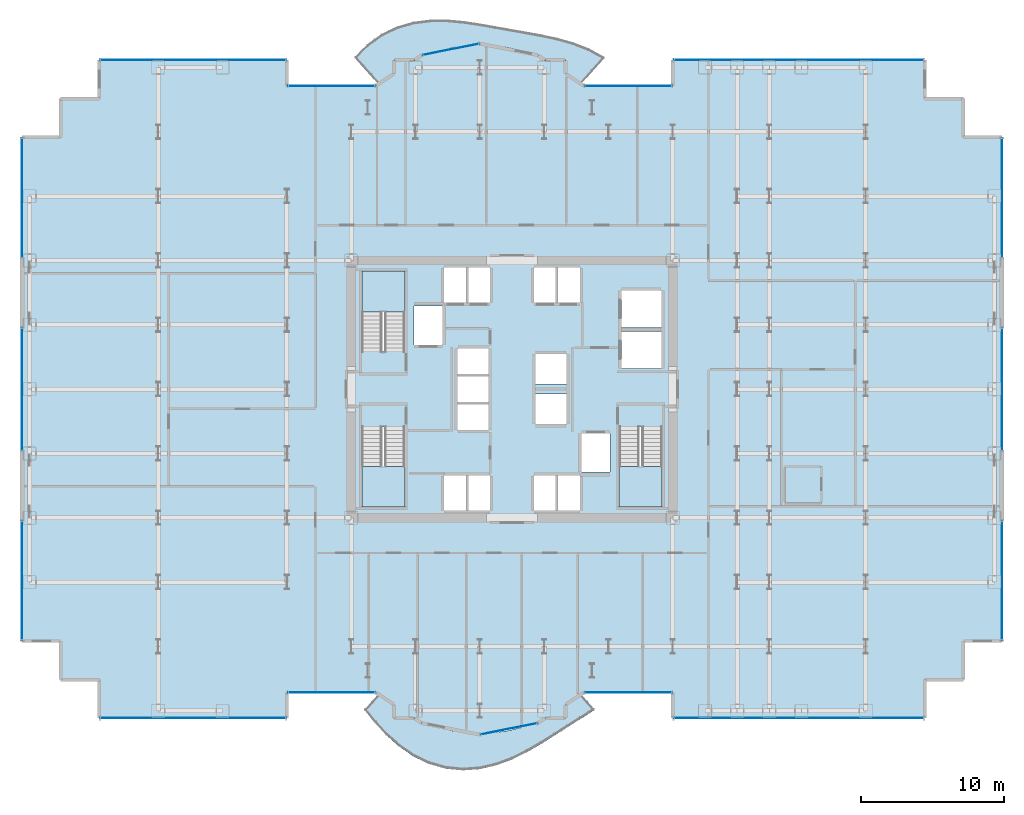
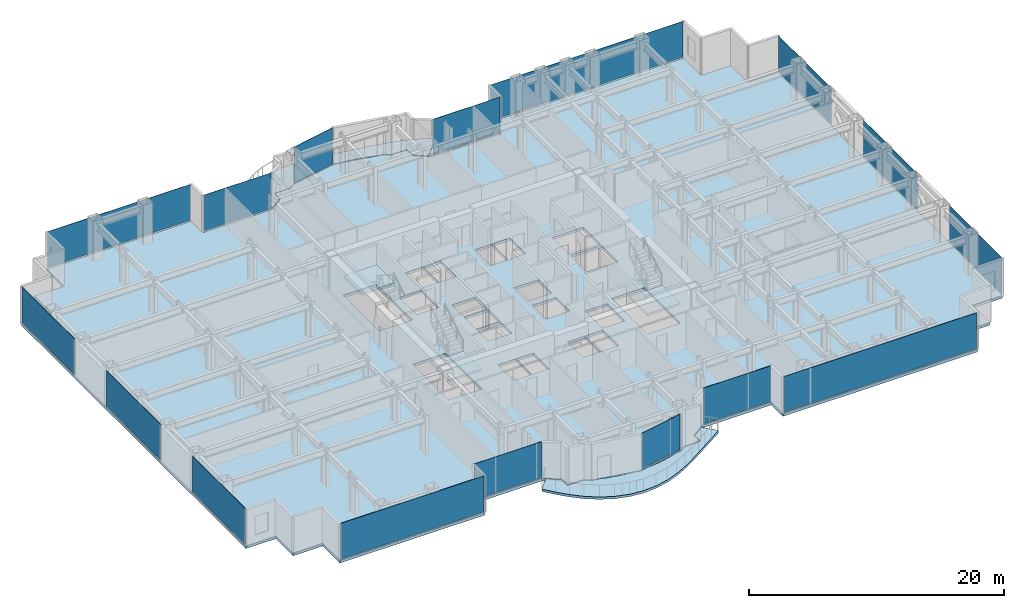
# One storey, part 20 of 29: 16 plates, 6 slabs, 19 elements without a shape of their own.
"""IFC4 building model written with IfcOpenShell, lengths in metres."""

from ifc_helpers import new_model, si_unit, direction, frame, origin, origin_2d, place, context, subcontext, project, spatial, polyline, rectangle, outline, extrude, source, transform, mapped, material, layer, layer_set, type_object, element, aggregate, save


model = new_model("IFC4")

# Units and contexts
model_context = context("Model", 3, precision=1e-05, world=origin(), true_north=direction((0.0, 1.0)))
body_context = subcontext(model_context, "Body", "Model", "MODEL_VIEW")
ifc_project = project(units=[si_unit("LENGTHUNIT", "METRE"), si_unit("AREAUNIT", "SQUARE_METRE"), si_unit("VOLUMEUNIT", "CUBIC_METRE"), si_unit("PLANEANGLEUNIT", "RADIAN"), si_unit("MASSUNIT", "GRAM", prefix="KILO")], contexts=[model_context])

# Site, building, storey
site_placement = place(None, origin())
site = spatial("IfcSite", under=ifc_project, at=site_placement, CompositionType="ELEMENT")
building_placement = place(site_placement, origin())
building = spatial("IfcBuilding", under=site, at=building_placement, Name="Nefas-Gora Pilgrimage Tower", CompositionType="ELEMENT")
storey_placement = place(building_placement, frame((0.0, 0.0, 78.60009765625)))
storey = spatial("IfcBuildingStorey", under=building, at=storey_placement, Name="L18", CompositionType="ELEMENT", Elevation=78.60009765625)

# Slabs
ifc_material_1 = material(Name="Concrete C40/50", Category="concrete")
ifc_layer_1 = layer(ifc_material_1, 0.219970703125)
ifc_layer_set_1 = layer_set([ifc_layer_1], Name="Concrete C40/50")
slab_type_1 = type_object("IfcSlabType", Name="SLB-BAL-P3", PredefinedType="FLOOR", material=ifc_layer_set_1)
slab_1_placement = place(storey_placement, frame((0.0, 0.0, -0.22021484375)))
element("IfcSlab", 1, at=slab_1_placement, inside=storey, type_object=slab_type_1, Name="L18 Sinusoidal Lobe Balcony Slab N (Phase 3)", PredefinedType="FLOOR", context=body_context, shape_type="SweptSolid", body=[
    extrude(outline(polyline([(-9.28759765625, 21.385986328125), (-9.224609375, 21.427978515625), (-8.538330078125, 21.9912109375), (-8.260009765625, 22.179931640625), (-8.260009765625, 23.02001953125), (-8.260009765625, 23.02099609375), (-8.259765625, 23.02197265625), (-8.259521484375, 23.02294921875), (-8.25927734375, 23.023681640625), (-8.2587890625, 23.024658203125), (-8.25830078125, 23.025634765625), (-8.2578125, 23.0263671875), (-8.257080078125, 23.027099609375), (-8.25634765625, 23.027587890625), (-8.255615234375, 23.0283203125), (-8.254638671875, 23.02880859375), (-8.25390625, 23.029296875), (-8.2529296875, 23.029541015625), (-8.251953125, 23.02978515625), (-8.2509765625, 23.030029296875), (-8.25, 23.030029296875), (-6.8271484375, 23.030029296875), (-6.31298828125, 23.37353515625), (-6.31201171875, 23.3740234375), (-6.311279296875, 23.37451171875), (-6.310302734375, 23.375), (-6.309326171875, 23.375), (-5.63037109375, 23.51025390625), (-5.102783203125, 23.685302734375), (-4.165283203125, 23.904052734375), (-3.211669921875, 24.035888671875), (-2.919921875, 24.04931640625), (-2.251953125, 24.18212890625), (-2.2509765625, 24.182373046875), (-2.25, 24.182373046875), (-2.2490234375, 24.182373046875), (-2.248046875, 24.18212890625), (-1.580078125, 24.04931640625), (-1.288330078125, 24.035888671875), (-0.334716796875, 23.904052734375), (0.602783203125, 23.685302734375), (1.13037109375, 23.51025390625), (1.809326171875, 23.375), (1.810302734375, 23.375), (1.811279296875, 23.37451171875), (1.81201171875, 23.3740234375), (1.81298828125, 23.37353515625), (2.3271484375, 23.030029296875), (3.75, 23.030029296875), (3.7509765625, 23.030029296875), (3.751953125, 23.02978515625), (3.7529296875, 23.029541015625), (3.75390625, 23.029296875), (3.754638671875, 23.02880859375), (3.755615234375, 23.0283203125), (3.75634765625, 23.027587890625), (3.757080078125, 23.027099609375), (3.7578125, 23.0263671875), (3.75830078125, 23.025634765625), (3.7587890625, 23.024658203125), (3.75927734375, 23.023681640625), (3.759521484375, 23.02294921875), (3.759765625, 23.02197265625), (3.760009765625, 23.02099609375), (3.760009765625, 23.02001953125), (3.760009765625, 22.179931640625), (4.038330078125, 21.9912109375), (4.724609375, 21.427978515625), (4.78759765625, 21.385986328125), (6.4453125, 23.22705078125), (5.391357421875, 23.802978515625), (4.284912109375, 24.234130859375), (3.16455078125, 24.5498046875), (2.055908203125, 24.787353515625), (0.969482421875, 24.985107421875), (-0.099609375, 25.172607421875), (-1.166259765625, 25.3642578125), (-2.25, 25.554931640625), (-3.366455078125, 25.720947265625), (-4.521240234375, 25.824951171875), (-5.70556640625, 25.822509765625), (-6.8955078125, 25.672119140625), (-8.055908203125, 25.343505859375), (-9.14599609375, 24.8232421875), (-10.127197265625, 24.118896484375), (-10.9716796875, 23.25634765625), (-9.28759765625, 21.385986328125)])), origin(), (0.0, 0.0, 1.0), 0.22021484375),
])
ifc_layer_2 = layer(ifc_material_1, 0.22509765625)
ifc_layer_set_2 = layer_set([ifc_layer_2], Name="Concrete C40/50")
slab_type_2 = type_object("IfcSlabType", Name="SLB-BAL-P7", PredefinedType="FLOOR", material=ifc_layer_set_2)
slab_2_placement = place(storey_placement, frame((0.0, 0.0, -0.22509765625)))
element("IfcSlab", 2, at=slab_2_placement, inside=storey, type_object=slab_type_2, Name="L18 Sinusoidal Lobe Balcony Slab S (Phase 7)", PredefinedType="FLOOR", context=body_context, shape_type="SweptSolid", body=[
    extrude(outline(polyline([(4.78759765625, -21.385986328125), (4.724609375, -21.427978515625), (4.038330078125, -21.9912109375), (3.760009765625, -22.179931640625), (3.760009765625, -23.02001953125), (3.760009765625, -23.02099609375), (3.759765625, -23.02197265625), (3.759521484375, -23.02294921875), (3.75927734375, -23.023681640625), (3.7587890625, -23.024658203125), (3.75830078125, -23.025634765625), (3.7578125, -23.0263671875), (3.757080078125, -23.027099609375), (3.75634765625, -23.027587890625), (3.755615234375, -23.0283203125), (3.754638671875, -23.02880859375), (3.75390625, -23.029296875), (3.7529296875, -23.029541015625), (3.751953125, -23.02978515625), (3.7509765625, -23.030029296875), (3.75, -23.030029296875), (2.3271484375, -23.030029296875), (1.81298828125, -23.37353515625), (1.81201171875, -23.3740234375), (1.811279296875, -23.37451171875), (1.810302734375, -23.375), (1.809326171875, -23.375), (1.13037109375, -23.51025390625), (0.602783203125, -23.685302734375), (-0.334716796875, -23.904052734375), (-1.288330078125, -24.035888671875), (-1.580078125, -24.04931640625), (-2.248046875, -24.18212890625), (-2.2490234375, -24.182373046875), (-2.25, -24.182373046875), (-2.2509765625, -24.182373046875), (-2.251953125, -24.18212890625), (-2.919921875, -24.04931640625), (-3.211669921875, -24.035888671875), (-4.165283203125, -23.904052734375), (-5.102783203125, -23.685302734375), (-5.63037109375, -23.51025390625), (-6.309326171875, -23.375), (-6.310302734375, -23.375), (-6.311279296875, -23.37451171875), (-6.31201171875, -23.3740234375), (-6.31298828125, -23.37353515625), (-6.8271484375, -23.030029296875), (-8.25, -23.030029296875), (-8.2509765625, -23.030029296875), (-8.251953125, -23.02978515625), (-8.2529296875, -23.029541015625), (-8.25390625, -23.029296875), (-8.254638671875, -23.02880859375), (-8.255615234375, -23.0283203125), (-8.25634765625, -23.027587890625), (-8.257080078125, -23.027099609375), (-8.2578125, -23.0263671875), (-8.25830078125, -23.025634765625), (-8.2587890625, -23.024658203125), (-8.25927734375, -23.023681640625), (-8.259521484375, -23.02294921875), (-8.259765625, -23.02197265625), (-8.260009765625, -23.02099609375), (-8.260009765625, -23.02001953125), (-8.260009765625, -22.179931640625), (-8.538330078125, -21.9912109375), (-9.224609375, -21.427978515625), (-9.28759765625, -21.385986328125), (-10.282958984375, -22.491455078125), (-9.56689453125, -23.368408203125), (-8.77734375, -24.2216796875), (-7.892578125, -25.01220703125), (-6.9033203125, -25.692138671875), (-5.816650390625, -26.21630859375), (-4.655517578125, -26.548583984375), (-3.453857421875, -26.6708984375), (-2.25, -26.585205078125), (-1.0791015625, -26.314208984375), (0.03466796875, -25.896484375), (1.080322265625, -25.37890625), (2.063720703125, -24.807373046875), (3.001220703125, -24.218505859375), (3.91650390625, -23.6328125), (4.830810546875, -23.052490234375), (5.756591796875, -22.462158203125), (4.78759765625, -21.385986328125)])), origin(), (0.0, 0.0, 1.0), 0.22509765625),
])
ifc_layer_3 = layer(ifc_material_1, 0.25)
ifc_layer_set_3 = layer_set([ifc_layer_3], Name="Concrete C40/50")
slab_type_3 = type_object("IfcSlabType", Name="SLB-TWR-250", PredefinedType="FLOOR", material=ifc_layer_set_3)
slab_3_placement = place(storey_placement, frame((0.0, 0.0, -0.25)))
element("IfcSlab", 3, at=slab_3_placement, inside=storey, type_object=slab_type_3, Name="L18 Structural Floor Slab", PredefinedType="FLOOR", context=body_context, shape_type="SweptSolid", body=[
    extrude(outline(polyline([(5.01806640625, -21.219970703125), (11.25, -21.219970703125), (11.25, -23.02001953125), (28.8701171875, -23.02001953125), (28.8701171875, -20.320068359375), (31.570068359375, -20.320068359375), (31.570068359375, -17.6201171875), (34.27001953125, -17.6201171875), (34.27001953125, 17.6201171875), (31.570068359375, 17.6201171875), (31.570068359375, 20.320068359375), (28.8701171875, 20.320068359375), (28.8701171875, 23.02001953125), (11.25, 23.02001953125), (11.25, 21.219970703125), (5.01806640625, 21.219970703125), (3.75, 22.0673828125), (3.75, 23.02001953125), (2.32421875, 23.02001953125), (1.807373046875, 23.365234375), (-2.25, 24.17236328125), (-6.307373046875, 23.365234375), (-6.82421875, 23.02001953125), (-8.25, 23.02001953125), (-8.25, 22.0673828125), (-9.51806640625, 21.219970703125), (-15.75, 21.219970703125), (-15.75, 23.02001953125), (-28.8701171875, 23.02001953125), (-28.8701171875, 20.320068359375), (-31.570068359375, 20.320068359375), (-31.570068359375, 17.6201171875), (-34.27001953125, 17.6201171875), (-34.27001953125, -17.6201171875), (-31.570068359375, -17.6201171875), (-31.570068359375, -20.320068359375), (-28.8701171875, -20.320068359375), (-28.8701171875, -23.02001953125), (-15.75, -23.02001953125), (-15.75, -21.219970703125), (-9.51806640625, -21.219970703125), (-8.25, -22.0673828125), (-8.25, -23.02001953125), (-6.82421875, -23.02001953125), (-6.307373046875, -23.365234375), (-2.25, -24.17236328125), (1.807373046875, -23.365234375), (2.32421875, -23.02001953125), (3.75, -23.02001953125), (3.75, -22.0673828125), (5.01806640625, -21.219970703125)]), holes=[polyline([(-10.5, 2.639892578125), (-10.5, 8.25), (-7.5, 8.25), (-7.5, 2.639892578125), (-10.5, 2.639892578125)]), polyline([(10.5, -2.639892578125), (10.5, -8.25), (7.5, -8.25), (7.5, -2.639892578125), (10.5, -2.639892578125)]), polyline([(-7.5, -2.639892578125), (-7.5, -8.25), (-10.5, -8.25), (-10.5, -2.639892578125), (-7.5, -2.639892578125)]), polyline([(-6.85009765625, 5.800048828125), (-4.85009765625, 5.800048828125), (-4.85009765625, 3.10009765625), (-6.85009765625, 3.10009765625), (-6.85009765625, 5.800048828125)]), polyline([(4.85009765625, -3.10009765625), (6.85009765625, -3.10009765625), (6.85009765625, -5.800048828125), (4.85009765625, -5.800048828125), (4.85009765625, -3.10009765625)]), polyline([(7.64990234375, 4.050048828125), (10.449951171875, 4.050048828125), (10.449951171875, 1.449951171875), (7.64990234375, 1.449951171875), (7.64990234375, 4.050048828125)]), polyline([(7.64990234375, 6.89990234375), (10.449951171875, 6.89990234375), (10.449951171875, 4.300048828125), (7.64990234375, 4.300048828125), (7.64990234375, 6.89990234375)]), polyline([(-4.75, 8.5), (-3.14990234375, 8.5), (-3.14990234375, 6.050048828125), (-4.75, 6.050048828125), (-4.75, 8.5)]), polyline([(-3.10009765625, 8.5), (-1.550048828125, 8.5), (-1.550048828125, 6.050048828125), (-3.10009765625, 6.050048828125), (-3.10009765625, 8.5)]), polyline([(1.550048828125, 8.5), (3.10009765625, 8.5), (3.10009765625, 6.050048828125), (1.550048828125, 6.050048828125), (1.550048828125, 8.5)]), polyline([(3.14990234375, 8.5), (4.75, 8.5), (4.75, 6.050048828125), (3.14990234375, 6.050048828125), (3.14990234375, 8.5)]), polyline([(-4.75, -6.050048828125), (-3.14990234375, -6.050048828125), (-3.14990234375, -8.5), (-4.75, -8.5), (-4.75, -6.050048828125)]), polyline([(-3.10009765625, -6.050048828125), (-1.550048828125, -6.050048828125), (-1.550048828125, -8.5), (-3.10009765625, -8.5), (-3.10009765625, -6.050048828125)]), polyline([(1.550048828125, -6.050048828125), (3.10009765625, -6.050048828125), (3.10009765625, -8.5), (1.550048828125, -8.5), (1.550048828125, -6.050048828125)]), polyline([(3.14990234375, -6.050048828125), (4.75, -6.050048828125), (4.75, -8.5), (3.14990234375, -8.5), (3.14990234375, -6.050048828125)]), polyline([(-3.800048828125, -1.050048828125), (-1.64990234375, -1.050048828125), (-1.64990234375, -2.85009765625), (-3.800048828125, -2.85009765625), (-3.800048828125, -1.050048828125)]), polyline([(-3.800048828125, 0.89990234375), (-1.64990234375, 0.89990234375), (-1.64990234375, -0.89990234375), (-3.800048828125, -0.89990234375), (-3.800048828125, 0.89990234375)]), polyline([(-3.800048828125, 2.85009765625), (-1.64990234375, 2.85009765625), (-1.64990234375, 1.050048828125), (-3.800048828125, 1.050048828125), (-3.800048828125, 2.85009765625)]), polyline([(1.64990234375, -0.35009765625), (3.800048828125, -0.35009765625), (3.800048828125, -2.449951171875), (1.64990234375, -2.449951171875), (1.64990234375, -0.35009765625)]), polyline([(1.64990234375, 2.449951171875), (3.800048828125, 2.449951171875), (3.800048828125, 0.35009765625), (1.64990234375, 0.35009765625), (1.64990234375, 2.449951171875)])]), origin(), (0.0, 0.0, 1.0), 0.25),
])

# Stair, slab
ifc_material_2 = material(Name="Concrete C45/55", Category="concrete")
stair_type = type_object("IfcStairType", Name="STR-1400-R1727", PredefinedType="HALF_TURN_STAIR", material=ifc_material_2)
stair_1_placement = place(storey_placement, origin())
stair_1 = element("IfcStair", 4, at=stair_1_placement, inside=storey, type_object=stair_type, Name="L18 Pressurised Tower Exit Stair ST-01", PredefinedType="HALF_TURN_STAIR")
ifc_layer_4 = layer(ifc_material_1, 0.199951171875)
ifc_layer_set_4 = layer_set([ifc_layer_4], Name="Concrete C40/50")
slab_type_4 = type_object("IfcSlabType", Name="STR-LAND-200", PredefinedType="LANDING", material=ifc_layer_set_4)
slab_4_placement = place(storey_placement, frame((0.0, 0.0, 1.699951171875)))
slab_4 = element("IfcSlab", 5, at=slab_4_placement, type_object=slab_type_4, Name="ST-01 landing 1", PredefinedType="LANDING", context=body_context, shape_type="SweptSolid", body=[
    extrude(outline(polyline([(-7.5, 5.39990234375), (-7.5, 8.25), (-10.5, 8.25), (-10.5, 5.39990234375), (-7.5, 5.39990234375)])), origin(), (0.0, 0.0, 1.0), 0.199951171875),
])
aggregate(stair_1, [slab_4])

stair_2_placement = place(storey_placement, origin())
stair_2 = element("IfcStair", 6, at=stair_2_placement, inside=storey, type_object=stair_type, Name="L18 Pressurised Tower Exit Stair ST-02", PredefinedType="HALF_TURN_STAIR")
slab_5_placement = place(storey_placement, frame((0.0, 0.0, 1.699951171875)))
slab_5 = element("IfcSlab", 7, at=slab_5_placement, type_object=slab_type_4, Name="ST-02 landing 1", PredefinedType="LANDING", context=body_context, shape_type="SweptSolid", body=[
    extrude(outline(polyline([(7.5, -5.39990234375), (7.5, -8.25), (10.5, -8.25), (10.5, -5.39990234375), (7.5, -5.39990234375)])), origin(), (0.0, 0.0, 1.0), 0.199951171875),
])
aggregate(stair_2, [slab_5])

stair_3_placement = place(storey_placement, origin())
stair_3 = element("IfcStair", 8, at=stair_3_placement, inside=storey, type_object=stair_type, Name="L18 Pressurised Tower Exit Stair ST-03", PredefinedType="HALF_TURN_STAIR")
slab_6_placement = place(storey_placement, frame((0.0, 0.0, 1.699951171875)))
slab_6 = element("IfcSlab", 9, at=slab_6_placement, type_object=slab_type_4, Name="ST-03 landing 1", PredefinedType="LANDING", context=body_context, shape_type="SweptSolid", body=[
    extrude(outline(polyline([(-10.5, -5.39990234375), (-10.5, -8.25), (-7.5, -8.25), (-7.5, -5.39990234375), (-10.5, -5.39990234375)])), origin(), (0.0, 0.0, 1.0), 0.199951171875),
])
aggregate(stair_3, [slab_6])

# Curtain wall, plate
ifc_material_3 = material(Name="Dark ceramic-fritted solar-control aluminium-glass curtain wall", Category="aluminium")
ifc_layer_5 = layer(ifc_material_3, 0.219970703125)
ifc_layer_set_5 = layer_set([ifc_layer_5], Name="Dark ceramic-fritted solar-control aluminium-glass curtain wall")
curtain_wall_type_1 = type_object("IfcCurtainWallType", Name="CW-SYS-5", PredefinedType="NOTDEFINED", material=ifc_layer_set_5)
curtain_wall_1_placement = place(storey_placement, origin())
curtain_wall_1 = element("IfcCurtainWall", 10, at=curtain_wall_1_placement, inside=storey, type_object=curtain_wall_type_1, Name="L18 Unitised Curtain Wall CW5", PredefinedType="NOTDEFINED")
ifc_material_4 = material(Name="Dark ceramic-printed low-e insulated glass", Category="glass")
ifc_layer_6 = layer(ifc_material_4, 0.028076171875)
ifc_layer_set_6 = layer_set([ifc_layer_6], Name="Dark ceramic-printed low-e insulated glass")
plate_type_1 = type_object("IfcPlateType", Name="CWP-PNL-5", PredefinedType="CURTAIN_PANEL", material=ifc_layer_set_6)
shared_shape_1 = source(origin(), body_context, "Body", "SweptSolid", [
    extrude(rectangle(XDim=6.052001953125, YDim=0.028076171875, at=origin_2d()), origin(), (0.0, 0.0, 1.0), 3.43994140625),
])
plate_1_placement = place(storey_placement, frame((8.134033203125, -21.219970703125, 0.099853515625), z_axis=(0.0, 0.0, 1.0), x_axis=(1.0, 0.0, 0.0)))
plate_1 = element("IfcPlate", 11, at=plate_1_placement, type_object=plate_type_1, Name="CW5 Ceramic-Fritted Glazing Panel 1", PredefinedType="CURTAIN_PANEL", context=body_context, shape_type="MappedRepresentation", body=[
    mapped(shared_shape_1, transform((0.0, 0.0, 0.0), x_axis=(1.0, 0.0, 0.0), y_axis=(0.0, 1.0, 0.0), z_axis=(0.0, 0.0, 1.0), scale=1.0)),
])
aggregate(curtain_wall_1, [plate_1])

curtain_wall_2_placement = place(storey_placement, origin())
curtain_wall_2 = element("IfcCurtainWall", 12, at=curtain_wall_2_placement, inside=storey, type_object=curtain_wall_type_1, Name="L18 Unitised Curtain Wall CW5", PredefinedType="NOTDEFINED")
plate_2_placement = place(storey_placement, frame((8.134033203125, 21.219970703125, 0.099853515625), z_axis=(0.0, 0.0, 1.0), x_axis=(-1.0, 0.0, 0.0)))
plate_2 = element("IfcPlate", 13, at=plate_2_placement, type_object=plate_type_1, Name="CW5 Ceramic-Fritted Glazing Panel 1", PredefinedType="CURTAIN_PANEL", context=body_context, shape_type="MappedRepresentation", body=[
    mapped(shared_shape_1, transform((0.0, 0.0, 0.0), x_axis=(1.0, 0.0, 0.0), y_axis=(0.0, 1.0, 0.0), z_axis=(0.0, 0.0, 1.0), scale=1.0)),
])
aggregate(curtain_wall_2, [plate_2])

curtain_wall_3_placement = place(storey_placement, origin())
curtain_wall_3 = element("IfcCurtainWall", 14, at=curtain_wall_3_placement, inside=storey, type_object=curtain_wall_type_1, Name="L18 Unitised Curtain Wall CW5", PredefinedType="NOTDEFINED")
plate_3_placement = place(storey_placement, frame((-12.634033203125, 21.219970703125, 0.099853515625), z_axis=(0.0, 0.0, 1.0), x_axis=(-1.0, 0.0, 0.0)))
plate_3 = element("IfcPlate", 15, at=plate_3_placement, type_object=plate_type_1, Name="CW5 Ceramic-Fritted Glazing Panel 1", PredefinedType="CURTAIN_PANEL", context=body_context, shape_type="MappedRepresentation", body=[
    mapped(shared_shape_1, transform((0.0, 0.0, 0.0), x_axis=(1.0, 0.0, 0.0), y_axis=(0.0, 1.0, 0.0), z_axis=(0.0, 0.0, 1.0), scale=1.0)),
])
aggregate(curtain_wall_3, [plate_3])

curtain_wall_4_placement = place(storey_placement, origin())
curtain_wall_4 = element("IfcCurtainWall", 16, at=curtain_wall_4_placement, inside=storey, type_object=curtain_wall_type_1, Name="L18 Unitised Curtain Wall CW5", PredefinedType="NOTDEFINED")
plate_4_placement = place(storey_placement, frame((-12.634033203125, -21.219970703125, 0.099853515625), z_axis=(0.0, 0.0, 1.0), x_axis=(1.0, 0.0, 0.0)))
plate_4 = element("IfcPlate", 17, at=plate_4_placement, type_object=plate_type_1, Name="CW5 Ceramic-Fritted Glazing Panel 1", PredefinedType="CURTAIN_PANEL", context=body_context, shape_type="MappedRepresentation", body=[
    mapped(shared_shape_1, transform((0.0, 0.0, 0.0), x_axis=(1.0, 0.0, 0.0), y_axis=(0.0, 1.0, 0.0), z_axis=(0.0, 0.0, 1.0), scale=1.0)),
])
aggregate(curtain_wall_4, [plate_4])

ifc_layer_7 = layer(ifc_material_3, 0.219970703125)
ifc_layer_set_7 = layer_set([ifc_layer_7], Name="Dark ceramic-fritted solar-control aluminium-glass curtain wall")
curtain_wall_type_2 = type_object("IfcCurtainWallType", Name="CW-SYS-2", PredefinedType="NOTDEFINED", material=ifc_layer_set_7)
curtain_wall_5_placement = place(storey_placement, origin())
curtain_wall_5 = element("IfcCurtainWall", 18, at=curtain_wall_5_placement, inside=storey, type_object=curtain_wall_type_2, Name="L18 Unitised Curtain Wall CW2", PredefinedType="NOTDEFINED")
ifc_layer_8 = layer(ifc_material_4, 0.031982421875)
ifc_layer_set_8 = layer_set([ifc_layer_8], Name="Dark ceramic-printed low-e insulated glass")
plate_type_2 = type_object("IfcPlateType", Name="CWP-PNL-2", PredefinedType="CURTAIN_PANEL", material=ifc_layer_set_8)
shared_shape_2 = source(origin(), body_context, "Body", "SweptSolid", [
    extrude(rectangle(XDim=17.43994140625, YDim=0.031982421875, at=origin_2d()), origin(), (0.0, 0.0, 1.0), 3.43994140625),
])
plate_5_placement = place(storey_placement, frame((20.06005859375, -23.02001953125, 0.099853515625), z_axis=(0.0, 0.0, 1.0), x_axis=(1.0, 0.0, 0.0)))
plate_5 = element("IfcPlate", 19, at=plate_5_placement, type_object=plate_type_2, Name="CW2 Ceramic-Fritted Glazing Panel 1", PredefinedType="CURTAIN_PANEL", context=body_context, shape_type="MappedRepresentation", body=[
    mapped(shared_shape_2, transform((0.0, 0.0, 0.0), x_axis=(1.0, 0.0, 0.0), y_axis=(0.0, 1.0, 0.0), z_axis=(0.0, 0.0, 1.0), scale=1.0)),
])
aggregate(curtain_wall_5, [plate_5])

curtain_wall_6_placement = place(storey_placement, origin())
curtain_wall_6 = element("IfcCurtainWall", 20, at=curtain_wall_6_placement, inside=storey, type_object=curtain_wall_type_2, Name="L18 Unitised Curtain Wall CW2", PredefinedType="NOTDEFINED")
plate_6_placement = place(storey_placement, frame((20.06005859375, 23.02001953125, 0.099853515625), z_axis=(0.0, 0.0, 1.0), x_axis=(-1.0, 0.0, 0.0)))
plate_6 = element("IfcPlate", 21, at=plate_6_placement, type_object=plate_type_2, Name="CW2 Ceramic-Fritted Glazing Panel 1", PredefinedType="CURTAIN_PANEL", context=body_context, shape_type="MappedRepresentation", body=[
    mapped(shared_shape_2, transform((0.0, 0.0, 0.0), x_axis=(1.0, 0.0, 0.0), y_axis=(0.0, 1.0, 0.0), z_axis=(0.0, 0.0, 1.0), scale=1.0)),
])
aggregate(curtain_wall_6, [plate_6])

curtain_wall_7_placement = place(storey_placement, origin())
curtain_wall_7 = element("IfcCurtainWall", 22, at=curtain_wall_7_placement, inside=storey, type_object=curtain_wall_type_2, Name="L18 Unitised Curtain Wall CW2", PredefinedType="NOTDEFINED")
shared_shape_3 = source(origin(), body_context, "Body", "SweptSolid", [
    extrude(rectangle(XDim=8.2900390625, YDim=0.031982421875, at=origin_2d()), origin(), (0.0, 0.0, 1.0), 3.43994140625),
])
plate_7_placement = place(storey_placement, frame((34.27001953125, -13.385009765625, 0.099853515625), z_axis=(0.0, 0.0, 1.0), x_axis=(0.0, 1.0, 0.0)))
plate_7 = element("IfcPlate", 23, at=plate_7_placement, type_object=plate_type_2, Name="CW2 Ceramic-Fritted Glazing Panel 1", PredefinedType="CURTAIN_PANEL", context=body_context, shape_type="MappedRepresentation", body=[
    mapped(shared_shape_3, transform((0.0, 0.0, 0.0), x_axis=(1.0, 0.0, 0.0), y_axis=(0.0, 1.0, 0.0), z_axis=(0.0, 0.0, 1.0), scale=1.0)),
])
aggregate(curtain_wall_7, [plate_7])

curtain_wall_8_placement = place(storey_placement, origin())
curtain_wall_8 = element("IfcCurtainWall", 24, at=curtain_wall_8_placement, inside=storey, type_object=curtain_wall_type_2, Name="L18 Unitised Curtain Wall CW2", PredefinedType="NOTDEFINED")
plate_8_placement = place(storey_placement, frame((34.27001953125, 13.385009765625, 0.099853515625), z_axis=(0.0, 0.0, 1.0), x_axis=(0.0, 1.0, 0.0)))
plate_8 = element("IfcPlate", 25, at=plate_8_placement, type_object=plate_type_2, Name="CW2 Ceramic-Fritted Glazing Panel 1", PredefinedType="CURTAIN_PANEL", context=body_context, shape_type="MappedRepresentation", body=[
    mapped(shared_shape_3, transform((0.0, 0.0, 0.0), x_axis=(1.0, 0.0, 0.0), y_axis=(0.0, 1.0, 0.0), z_axis=(0.0, 0.0, 1.0), scale=1.0)),
])
aggregate(curtain_wall_8, [plate_8])

curtain_wall_9_placement = place(storey_placement, origin())
curtain_wall_9 = element("IfcCurtainWall", 26, at=curtain_wall_9_placement, inside=storey, type_object=curtain_wall_type_2, Name="L18 Unitised Curtain Wall CW2", PredefinedType="NOTDEFINED")
plate_9_placement = place(storey_placement, frame((-34.27001953125, 13.385009765625, 0.099853515625), z_axis=(0.0, 0.0, 1.0), x_axis=(0.0, -1.0, 0.0)))
plate_9 = element("IfcPlate", 27, at=plate_9_placement, type_object=plate_type_2, Name="CW2 Ceramic-Fritted Glazing Panel 1", PredefinedType="CURTAIN_PANEL", context=body_context, shape_type="MappedRepresentation", body=[
    mapped(shared_shape_3, transform((0.0, 0.0, 0.0), x_axis=(1.0, 0.0, 0.0), y_axis=(0.0, 1.0, 0.0), z_axis=(0.0, 0.0, 1.0), scale=1.0)),
])
aggregate(curtain_wall_9, [plate_9])

curtain_wall_10_placement = place(storey_placement, origin())
curtain_wall_10 = element("IfcCurtainWall", 28, at=curtain_wall_10_placement, inside=storey, type_object=curtain_wall_type_2, Name="L18 Unitised Curtain Wall CW2", PredefinedType="NOTDEFINED")
plate_10_placement = place(storey_placement, frame((-34.27001953125, -13.385009765625, 0.099853515625), z_axis=(0.0, 0.0, 1.0), x_axis=(0.0, -1.0, 0.0)))
plate_10 = element("IfcPlate", 29, at=plate_10_placement, type_object=plate_type_2, Name="CW2 Ceramic-Fritted Glazing Panel 1", PredefinedType="CURTAIN_PANEL", context=body_context, shape_type="MappedRepresentation", body=[
    mapped(shared_shape_3, transform((0.0, 0.0, 0.0), x_axis=(1.0, 0.0, 0.0), y_axis=(0.0, 1.0, 0.0), z_axis=(0.0, 0.0, 1.0), scale=1.0)),
])
aggregate(curtain_wall_10, [plate_10])

curtain_wall_11_placement = place(storey_placement, origin())
curtain_wall_11 = element("IfcCurtainWall", 30, at=curtain_wall_11_placement, inside=storey, type_object=curtain_wall_type_2, Name="L18 Unitised Curtain Wall CW2", PredefinedType="NOTDEFINED")
shared_shape_4 = source(origin(), body_context, "Body", "SweptSolid", [
    extrude(rectangle(XDim=8.52001953125, YDim=0.031982421875, at=origin_2d()), origin(), (0.0, 0.0, 1.0), 3.43994140625),
])
plate_11_placement = place(storey_placement, frame((34.27001953125, 0.0, 0.099853515625), z_axis=(0.0, 0.0, 1.0), x_axis=(0.0, 1.0, 0.0)))
plate_11 = element("IfcPlate", 31, at=plate_11_placement, type_object=plate_type_2, Name="CW2 Ceramic-Fritted Glazing Panel 1", PredefinedType="CURTAIN_PANEL", context=body_context, shape_type="MappedRepresentation", body=[
    mapped(shared_shape_4, transform((0.0, 0.0, 0.0), x_axis=(1.0, 0.0, 0.0), y_axis=(0.0, 1.0, 0.0), z_axis=(0.0, 0.0, 1.0), scale=1.0)),
])
aggregate(curtain_wall_11, [plate_11])

curtain_wall_12_placement = place(storey_placement, origin())
curtain_wall_12 = element("IfcCurtainWall", 32, at=curtain_wall_12_placement, inside=storey, type_object=curtain_wall_type_2, Name="L18 Unitised Curtain Wall CW2", PredefinedType="NOTDEFINED")
plate_12_placement = place(storey_placement, frame((-34.27001953125, 0.0, 0.099853515625), z_axis=(0.0, 0.0, 1.0), x_axis=(0.0, -1.0, 0.0)))
plate_12 = element("IfcPlate", 33, at=plate_12_placement, type_object=plate_type_2, Name="CW2 Ceramic-Fritted Glazing Panel 1", PredefinedType="CURTAIN_PANEL", context=body_context, shape_type="MappedRepresentation", body=[
    mapped(shared_shape_4, transform((0.0, 0.0, 0.0), x_axis=(1.0, 0.0, 0.0), y_axis=(0.0, 1.0, 0.0), z_axis=(0.0, 0.0, 1.0), scale=1.0)),
])
aggregate(curtain_wall_12, [plate_12])

curtain_wall_13_placement = place(storey_placement, origin())
curtain_wall_13 = element("IfcCurtainWall", 34, at=curtain_wall_13_placement, inside=storey, type_object=curtain_wall_type_1, Name="L18 Unitised Curtain Wall CW5", PredefinedType="NOTDEFINED")
shared_shape_5 = source(origin(), body_context, "Body", "SweptSolid", [
    extrude(rectangle(XDim=3.956787109375, YDim=0.028076171875, at=origin_2d()), origin(), (0.0, 0.0, 1.0), 3.43994140625),
])
plate_13_placement = place(storey_placement, frame((-4.278564453125, 23.768798828125, 0.099853515625), z_axis=(0.0, 0.0, 1.0), x_axis=(-0.980782896852, -0.195102304554, 0.0)))
plate_13 = element("IfcPlate", 35, at=plate_13_placement, type_object=plate_type_1, Name="CW5 Ceramic-Fritted Glazing Panel 1", PredefinedType="CURTAIN_PANEL", context=body_context, shape_type="MappedRepresentation", body=[
    mapped(shared_shape_5, transform((0.0, 0.0, 0.0), x_axis=(1.0, 0.0, 0.0), y_axis=(0.0, 1.0, 0.0), z_axis=(0.0, 0.0, 1.0), scale=1.0)),
])
aggregate(curtain_wall_13, [plate_13])

curtain_wall_14_placement = place(storey_placement, origin())
curtain_wall_14 = element("IfcCurtainWall", 36, at=curtain_wall_14_placement, inside=storey, type_object=curtain_wall_type_1, Name="L18 Unitised Curtain Wall CW5", PredefinedType="NOTDEFINED")
plate_14_placement = place(storey_placement, frame((-0.221435546875, -23.768798828125, 0.099853515625), z_axis=(0.0, 0.0, 1.0), x_axis=(0.980782896852, 0.195102304554, 0.0)))
plate_14 = element("IfcPlate", 37, at=plate_14_placement, type_object=plate_type_1, Name="CW5 Ceramic-Fritted Glazing Panel 1", PredefinedType="CURTAIN_PANEL", context=body_context, shape_type="MappedRepresentation", body=[
    mapped(shared_shape_5, transform((0.0, 0.0, 0.0), x_axis=(1.0, 0.0, 0.0), y_axis=(0.0, 1.0, 0.0), z_axis=(0.0, 0.0, 1.0), scale=1.0)),
])
aggregate(curtain_wall_14, [plate_14])

curtain_wall_15_placement = place(storey_placement, origin())
curtain_wall_15 = element("IfcCurtainWall", 38, at=curtain_wall_15_placement, inside=storey, type_object=curtain_wall_type_2, Name="L18 Unitised Curtain Wall CW2", PredefinedType="NOTDEFINED")
shared_shape_6 = source(origin(), body_context, "Body", "SweptSolid", [
    extrude(rectangle(XDim=12.93994140625, YDim=0.031982421875, at=origin_2d()), origin(), (0.0, 0.0, 1.0), 3.43994140625),
])
plate_15_placement = place(storey_placement, frame((-22.31005859375, 23.02001953125, 0.099853515625), z_axis=(0.0, 0.0, 1.0), x_axis=(-1.0, 0.0, 0.0)))
plate_15 = element("IfcPlate", 39, at=plate_15_placement, type_object=plate_type_2, Name="CW2 Ceramic-Fritted Glazing Panel 1", PredefinedType="CURTAIN_PANEL", context=body_context, shape_type="MappedRepresentation", body=[
    mapped(shared_shape_6, transform((0.0, 0.0, 0.0), x_axis=(1.0, 0.0, 0.0), y_axis=(0.0, 1.0, 0.0), z_axis=(0.0, 0.0, 1.0), scale=1.0)),
])
aggregate(curtain_wall_15, [plate_15])

curtain_wall_16_placement = place(storey_placement, origin())
curtain_wall_16 = element("IfcCurtainWall", 40, at=curtain_wall_16_placement, inside=storey, type_object=curtain_wall_type_2, Name="L18 Unitised Curtain Wall CW2", PredefinedType="NOTDEFINED")
plate_16_placement = place(storey_placement, frame((-22.31005859375, -23.02001953125, 0.099853515625), z_axis=(0.0, 0.0, 1.0), x_axis=(1.0, 0.0, 0.0)))
plate_16 = element("IfcPlate", 41, at=plate_16_placement, type_object=plate_type_2, Name="CW2 Ceramic-Fritted Glazing Panel 1", PredefinedType="CURTAIN_PANEL", context=body_context, shape_type="MappedRepresentation", body=[
    mapped(shared_shape_6, transform((0.0, 0.0, 0.0), x_axis=(1.0, 0.0, 0.0), y_axis=(0.0, 1.0, 0.0), z_axis=(0.0, 0.0, 1.0), scale=1.0)),
])
aggregate(curtain_wall_16, [plate_16])

save(model, "model.ifc")
